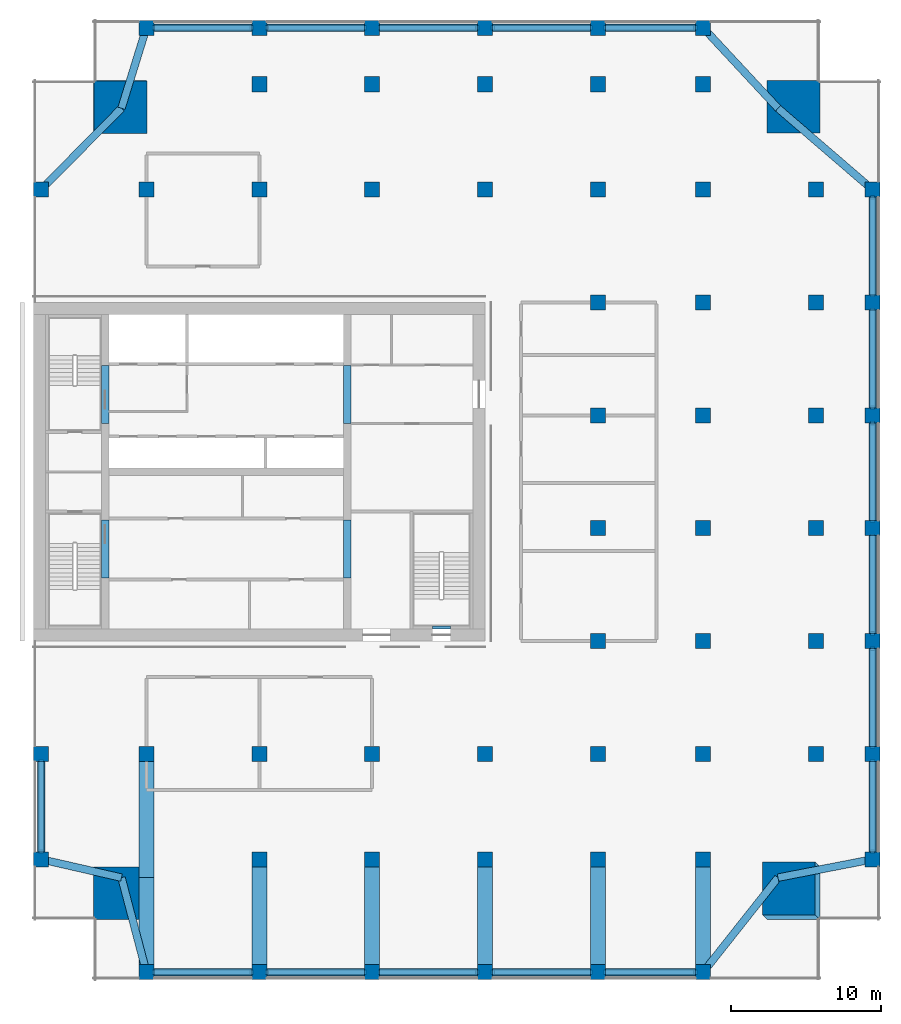
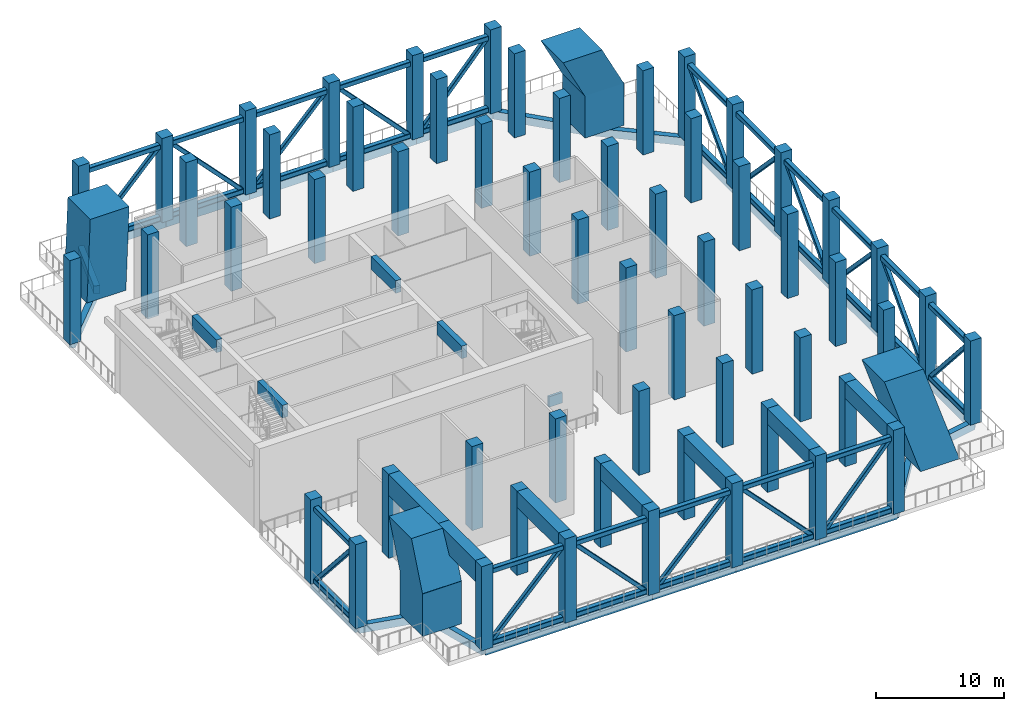
# One storey, part 1 of 12: 62 columns, 51 members, 37 beams.
"""IFC4 building model written with IfcOpenShell, lengths in metres."""

from ifc_helpers import new_model, si_unit, direction, frame, origin, origin_2d, place, context, subcontext, project, spatial, rectangle, hollow_rectangle, extrude, material, material_profile, profile_set, type_object, element, save


model = new_model("IFC4")

# Units and contexts
model_context = context("Model", 3, precision=1e-05, world=origin(), true_north=direction((0.0, 1.0)))
body_context = subcontext(model_context, "Body", "Model", "MODEL_VIEW")
ifc_project = project(units=[si_unit("LENGTHUNIT", "METRE"), si_unit("AREAUNIT", "SQUARE_METRE"), si_unit("VOLUMEUNIT", "CUBIC_METRE"), si_unit("PLANEANGLEUNIT", "RADIAN"), si_unit("MASSUNIT", "GRAM", prefix="KILO")], contexts=[model_context])

# Site, building, storey
site_placement = place(None, origin())
site = spatial("IfcSite", under=ifc_project, at=site_placement, CompositionType="ELEMENT")
building_placement = place(site_placement, origin())
building = spatial("IfcBuilding", under=site, at=building_placement, Name="Tamorin Gate", CompositionType="ELEMENT")
storey_placement = place(building_placement, frame((0.0, 0.0, 166.199951171875)))
storey = spatial("IfcBuildingStorey", under=building, at=storey_placement, Name="L41", CompositionType="ELEMENT", Elevation=166.199951171875)

# Columns
ifc_material_1 = material(Name="Concrete C70/85", Category="concrete")
ifc_material_profile_1 = material_profile(ifc_material_1, rectangle(XDim=1.0, YDim=1.0, at=origin_2d()), Name="RC 1000x1000")
ifc_profile_set_1 = profile_set([ifc_material_profile_1], Name="Concrete C70/85")
column_type_1 = type_object("IfcColumnType", Name="RC column 1000x1000 C70/85", PredefinedType="COLUMN", material=ifc_profile_set_1)
for number, where, z_axis, x_axis, name in (
    (1, (85.75, 45.5, 0.0), (0.0, 0.0, 1.0), (1.0, 0.0, 0.0), "Ring column L41"),
    (2, (85.75, 52.5, 0.0), (0.0, 0.0, 1.0), (1.0, 0.0, 0.0), "Ring column L41"),
    (3, (85.75, 60.0, 0.0), (0.0, 0.0, 1.0), (1.0, 0.0, 0.0), "Ring column L41"),
    (4, (85.75, 67.5, 0.0), (0.0, 0.0, 1.0), (1.0, 0.0, 0.0), "Ring column L41"),
    (5, (85.75, 75.0, 0.0), (0.0, 0.0, 1.0), (1.0, 0.0, 0.0), "Ring column L41"),
    (6, (85.75, 82.5, 0.0), (0.0, 0.0, 1.0), (1.0, 0.0, 0.0), "Ring column L41"),
    (7, (85.75, 90.0, 0.0), (0.0, 0.0, 1.0), (1.0, 0.0, 0.0), "Ring column L41"),
    (8, (37.5, 100.75, 0.0), (0.0, 0.0, 1.0), (1.0, 0.0, 0.0), "Ring column L41"),
    (9, (45.0, 100.75, 0.0), (0.0, 0.0, 1.0), (1.0, 0.0, 0.0), "Ring column L41"),
    (10, (52.5, 100.75, 0.0), (0.0, 0.0, 1.0), (1.0, 0.0, 0.0), "Ring column L41"),
    (11, (60.0, 100.75, 0.0), (0.0, 0.0, 1.0), (1.0, 0.0, 0.0), "Ring column L41"),
    (12, (67.5, 100.75, 0.0), (0.0, 0.0, 1.0), (1.0, 0.0, 0.0), "Ring column L41"),
    (13, (74.5, 100.75, 0.0), (0.0, 0.0, 1.0), (1.0, 0.0, 0.0), "Ring column L41"),
    (14, (30.5, 45.5, 0.0), (0.0, 0.0, 1.0), (1.0, 0.0, 0.0), "Ring column L41"),
    (15, (30.5, 52.5, 0.0), (0.0, 0.0, 1.0), (1.0, 0.0, 0.0), "Ring column L41"),
    (16, (30.5, 90.0, 0.0), (0.0, 0.0, 1.0), (1.0, 0.0, 0.0), "Ring column L41"),
    (17, (37.5, 38.0, 0.0), (0.0, 0.0, 1.0), (1.0, 0.0, 0.0), "Ring column L41"),
    (18, (37.5, 52.5, 0.0), (0.0, 0.0, 1.0), (1.0, 0.0, 0.0), "Interior column L41"),
    (19, (37.5, 90.0, 0.0), (0.0, 0.0, 1.0), (1.0, 0.0, 0.0), "Interior column L41"),
    (20, (45.0, 38.0, 0.0), (0.0, 0.0, 1.0), (1.0, 0.0, 0.0), "Ring column L41"),
    (21, (45.0, 45.5, 0.0), (0.0, 0.0, 1.0), (1.0, 0.0, 0.0), "Interior column L41"),
    (22, (45.0, 52.5, 0.0), (0.0, 0.0, 1.0), (1.0, 0.0, 0.0), "Interior column L41"),
    (23, (45.0, 90.0, 0.0), (0.0, 0.0, 1.0), (1.0, 0.0, 0.0), "Interior column L41"),
    (24, (45.0, 97.0, 0.0), (0.0, 0.0, 1.0), (1.0, 0.0, 0.0), "Interior column L41"),
    (25, (52.5, 38.0, 0.0), (0.0, 0.0, 1.0), (1.0, 0.0, 0.0), "Ring column L41"),
    (26, (52.5, 45.5, 0.0), (0.0, 0.0, 1.0), (1.0, 0.0, 0.0), "Interior column L41"),
    (27, (52.5, 52.5, 0.0), (0.0, 0.0, 1.0), (1.0, 0.0, 0.0), "Interior column L41"),
    (28, (52.5, 90.0, 0.0), (0.0, 0.0, 1.0), (1.0, 0.0, 0.0), "Interior column L41"),
    (29, (52.5, 97.0, 0.0), (0.0, 0.0, 1.0), (1.0, 0.0, 0.0), "Interior column L41"),
    (30, (60.0, 38.0, 0.0), (0.0, 0.0, 1.0), (1.0, 0.0, 0.0), "Ring column L41"),
    (31, (60.0, 45.5, 0.0), (0.0, 0.0, 1.0), (1.0, 0.0, 0.0), "Interior column L41"),
    (32, (60.0, 52.5, 0.0), (0.0, 0.0, 1.0), (1.0, 0.0, 0.0), "Interior column L41"),
    (33, (60.0, 90.0, 0.0), (0.0, 0.0, 1.0), (1.0, 0.0, 0.0), "Interior column L41"),
    (34, (60.0, 97.0, 0.0), (0.0, 0.0, 1.0), (1.0, 0.0, 0.0), "Interior column L41"),
    (35, (67.5, 38.0, 0.0), (0.0, 0.0, 1.0), (1.0, 0.0, 0.0), "Ring column L41"),
    (36, (67.5, 45.5, 0.0), (0.0, 0.0, 1.0), (1.0, 0.0, 0.0), "Interior column L41"),
    (37, (67.5, 52.5, 0.0), (0.0, 0.0, 1.0), (1.0, 0.0, 0.0), "Interior column L41"),
    (38, (67.5, 60.0, 0.0), (0.0, 0.0, 1.0), (1.0, 0.0, 0.0), "Interior column L41"),
    (39, (67.5, 67.5, 0.0), (0.0, 0.0, 1.0), (1.0, 0.0, 0.0), "Interior column L41"),
    (40, (67.5, 75.0, 0.0), (0.0, 0.0, 1.0), (1.0, 0.0, 0.0), "Interior column L41"),
    (41, (67.5, 82.5, 0.0), (0.0, 0.0, 1.0), (1.0, 0.0, 0.0), "Interior column L41"),
    (42, (67.5, 90.0, 0.0), (0.0, 0.0, 1.0), (1.0, 0.0, 0.0), "Interior column L41"),
    (43, (67.5, 97.0, 0.0), (0.0, 0.0, 1.0), (1.0, 0.0, 0.0), "Interior column L41"),
    (44, (74.5, 38.0, 0.0), (0.0, 0.0, 1.0), (1.0, 0.0, 0.0), "Ring column L41"),
    (45, (74.5, 45.5, 0.0), (0.0, 0.0, 1.0), (1.0, 0.0, 0.0), "Interior column L41"),
    (46, (74.5, 52.5, 0.0), (0.0, 0.0, 1.0), (1.0, 0.0, 0.0), "Interior column L41"),
    (47, (74.5, 60.0, 0.0), (0.0, 0.0, 1.0), (1.0, 0.0, 0.0), "Interior column L41"),
    (48, (74.5, 67.5, 0.0), (0.0, 0.0, 1.0), (1.0, 0.0, 0.0), "Interior column L41"),
    (49, (74.5, 75.0, 0.0), (0.0, 0.0, 1.0), (1.0, 0.0, 0.0), "Interior column L41"),
    (50, (74.5, 82.5, 0.0), (0.0, 0.0, 1.0), (1.0, 0.0, 0.0), "Interior column L41"),
    (51, (74.5, 90.0, 0.0), (0.0, 0.0, 1.0), (1.0, 0.0, 0.0), "Interior column L41"),
    (52, (74.5, 97.0, 0.0), (0.0, 0.0, 1.0), (1.0, 0.0, 0.0), "Interior column L41"),
    (53, (82.0, 52.5, 0.0), (0.0, 0.0, 1.0), (1.0, 0.0, 0.0), "Interior column L41"),
    (54, (82.0, 60.0, 0.0), (0.0, 0.0, 1.0), (1.0, 0.0, 0.0), "Interior column L41"),
    (55, (82.0, 67.5, 0.0), (0.0, 0.0, 1.0), (1.0, 0.0, 0.0), "Interior column L41"),
    (56, (82.0, 75.0, 0.0), (0.0, 0.0, 1.0), (1.0, 0.0, 0.0), "Interior column L41"),
    (57, (82.0, 82.5, 0.0), (0.0, 0.0, 1.0), (1.0, 0.0, 0.0), "Interior column L41"),
    (58, (82.0, 90.0, 0.0), (0.0, 0.0, 1.0), (1.0, 0.0, 0.0), "Interior column L41"),
):
    element("IfcColumn", number, at=place(storey_placement, frame(where, z_axis=z_axis, x_axis=x_axis)), inside=storey, type_object=column_type_1, Name=name, PredefinedType="COLUMN", context=body_context, shape_type="SweptSolid", body=[
        extrude(rectangle(XDim=1.0, YDim=1.0, at=origin_2d()), origin(), (0.0, 0.0, 1.0), 8.0),
    ])
ifc_material_profile_2 = material_profile(ifc_material_1, rectangle(XDim=3.5, YDim=3.5, at=origin_2d()), Name="RC 3500x3500")
ifc_profile_set_2 = profile_set([ifc_material_profile_2], Name="Concrete C70/85")
column_type_2 = type_object("IfcColumnType", Name="RC column 3500x3500 C70/85", PredefinedType="COLUMN", material=ifc_profile_set_2)
column_1_placement = place(storey_placement, frame((35.75, 43.25, 0.0), z_axis=(0.0, 0.0, 1.0), x_axis=(1.0, 0.0, 0.0)))
element("IfcColumn", 59, at=column_1_placement, inside=storey, type_object=column_type_2, Name="Mega column SW L41", PredefinedType="COLUMN", context=body_context, shape_type="SweptSolid", body=[
    extrude(rectangle(XDim=3.5, YDim=3.5, at=origin_2d()), origin(), (0.0, 0.0, 1.0), 4.050048828125),
    extrude(rectangle(XDim=3.5, YDim=3.5, at=origin_2d()), frame((0.0, 0.0, 4.0)), (0.041626536958, 0.45789190654, 0.888032788441), 4.50439453125),
])
column_2_placement = place(storey_placement, frame((80.5, 43.25, 0.0), z_axis=(0.0, 0.0, 1.0), x_axis=(0.0, 1.0, 0.0)))
element("IfcColumn", 60, at=column_2_placement, inside=storey, type_object=column_type_2, Name="Mega column SE L41", PredefinedType="COLUMN", context=body_context, shape_type="SweptSolid", body=[
    extrude(rectangle(XDim=3.5, YDim=3.5, at=origin_2d()), origin(), (0.242215290509, 0.242215290509, 0.939501732882), 8.51513671875),
])
column_3_placement = place(storey_placement, frame((35.75, 95.5, 0.0), z_axis=(0.0, 0.0, 1.0), x_axis=(0.0, -1.0, 0.0)))
element("IfcColumn", 61, at=column_3_placement, inside=storey, type_object=column_type_2, Name="Mega column NW L41", PredefinedType="COLUMN", context=body_context, shape_type="SweptSolid", body=[
    extrude(rectangle(XDim=3.5, YDim=3.5, at=origin_2d()), origin(), (0.023424635995, 0.023424635995, 0.999451135803), 8.00439453125),
])
column_4_placement = place(storey_placement, frame((80.5, 95.5, 0.0), z_axis=(0.0, 0.0, 1.0), x_axis=(-1.0, 0.0, 0.0)))
element("IfcColumn", 62, at=column_4_placement, inside=storey, type_object=column_type_2, Name="Mega column NE L41", PredefinedType="COLUMN", context=body_context, shape_type="SweptSolid", body=[
    extrude(rectangle(XDim=3.5, YDim=3.5, at=origin_2d()), origin(), (0.0, 0.0, 1.0), 4.050048828125),
    extrude(rectangle(XDim=3.5, YDim=3.5, at=origin_2d()), frame((0.0, 0.0, 4.0)), (0.45789190654, 0.041626536958, 0.888032788441), 4.50439453125),
])

# Beams
ifc_material_2 = material(Name="Concrete C60/75", Category="concrete")
ifc_material_profile_3 = material_profile(ifc_material_2, rectangle(XDim=0.5, YDim=1.199951171875, at=origin_2d()), Name="RC 500x1200")
ifc_profile_set_3 = profile_set([ifc_material_profile_3], Name="Concrete C60/75")
beam_type_1 = type_object("IfcBeamType", Name="RC coupling beam 500x1200 C60/75", PredefinedType="BEAM", material=ifc_profile_set_3)
for number, where, z_axis, x_axis, name in (
    (63, (34.75, 64.199951171875, 7.400146484375), (0.0, 1.0, 0.0), (-1.0, 0.0, 0.0), "Coupling beam L41"),
    (64, (34.75, 74.449951171875, 7.400146484375), (0.0, 1.0, 0.0), (-1.0, 0.0, 0.0), "Coupling beam L41"),
    (65, (50.85009765625, 64.199951171875, 7.400146484375), (0.0, 1.0, 0.0), (-1.0, 0.0, 0.0), "Coupling beam L41"),
    (66, (50.85009765625, 74.449951171875, 7.400146484375), (0.0, 1.0, 0.0), (-1.0, 0.0, 0.0), "Coupling beam L41"),
):
    element("IfcBeam", number, at=place(storey_placement, frame(where, z_axis=z_axis, x_axis=x_axis)), inside=storey, type_object=beam_type_1, Name=name, PredefinedType="BEAM", context=body_context, shape_type="SweptSolid", body=[
        extrude(rectangle(XDim=0.5, YDim=1.199951171875, at=origin_2d()), origin(), (0.0, 0.0, 1.0), 3.85009765625),
    ])
ifc_material_3 = material(Name="Concrete C50/60", Category="concrete")
ifc_material_profile_4 = material_profile(ifc_material_3, rectangle(XDim=0.5, YDim=0.75, at=origin_2d()), Name="RC 500x750")
ifc_profile_set_4 = profile_set([ifc_material_profile_4], Name="Concrete C50/60")
beam_type_2 = type_object("IfcBeamType", Name="RC spandrel 500x750 C50/60", PredefinedType="BEAM", material=ifc_profile_set_4)
for number, where, z_axis, x_axis, name in (
    (67, (37.5, 38.0, -0.375), (1.0, 0.0, 0.0), (0.0, 1.0, 0.0), "Spandrel beam L41"),
    (68, (45.0, 38.0, -0.375), (1.0, 0.0, 0.0), (0.0, 1.0, 0.0), "Spandrel beam L41"),
    (69, (52.5, 38.0, -0.375), (1.0, 0.0, 0.0), (0.0, 1.0, 0.0), "Spandrel beam L41"),
    (70, (60.0, 38.0, -0.375), (1.0, 0.0, 0.0), (0.0, 1.0, 0.0), "Spandrel beam L41"),
):
    element("IfcBeam", number, at=place(storey_placement, frame(where, z_axis=z_axis, x_axis=x_axis)), inside=storey, type_object=beam_type_2, Name=name, PredefinedType="BEAM", context=body_context, shape_type="SweptSolid", body=[
        extrude(rectangle(XDim=0.5, YDim=0.75, at=origin_2d()), origin(), (0.0, 0.0, 1.0), 7.5),
    ])
for number, where, z_axis, x_axis, name in (
    (71, (67.5, 38.0, -0.375), (1.0, 0.0, 0.0), (0.0, 1.0, 0.0), "Spandrel beam L41"),
    (72, (85.75, 45.5, -0.375), (0.0, 1.0, 0.0), (-1.0, 0.0, 0.0), "Spandrel beam L41"),
):
    element("IfcBeam", number, at=place(storey_placement, frame(where, z_axis=z_axis, x_axis=x_axis)), inside=storey, type_object=beam_type_2, Name=name, PredefinedType="BEAM", context=body_context, shape_type="SweptSolid", body=[
        extrude(rectangle(XDim=0.5, YDim=0.75, at=origin_2d()), origin(), (0.0, 0.0, 1.0), 7.0),
    ])
for number, where, z_axis, x_axis, name in (
    (73, (85.75, 52.5, -0.375), (0.0, 1.0, 0.0), (-1.0, 0.0, 0.0), "Spandrel beam L41"),
    (74, (85.75, 60.0, -0.375), (0.0, 1.0, 0.0), (-1.0, 0.0, 0.0), "Spandrel beam L41"),
    (75, (85.75, 67.5, -0.375), (0.0, 1.0, 0.0), (-1.0, 0.0, 0.0), "Spandrel beam L41"),
    (76, (85.75, 75.0, -0.375), (0.0, 1.0, 0.0), (-1.0, 0.0, 0.0), "Spandrel beam L41"),
    (77, (85.75, 82.5, -0.375), (0.0, 1.0, 0.0), (-1.0, 0.0, 0.0), "Spandrel beam L41"),
):
    element("IfcBeam", number, at=place(storey_placement, frame(where, z_axis=z_axis, x_axis=x_axis)), inside=storey, type_object=beam_type_2, Name=name, PredefinedType="BEAM", context=body_context, shape_type="SweptSolid", body=[
        extrude(rectangle(XDim=0.5, YDim=0.75, at=origin_2d()), origin(), (0.0, 0.0, 1.0), 7.5),
    ])
beam_1_placement = place(storey_placement, frame((74.5, 100.75, -0.375), z_axis=(-1.0, 0.0, 0.0), x_axis=(0.0, -1.0, 0.0)))
element("IfcBeam", 78, at=beam_1_placement, inside=storey, type_object=beam_type_2, Name="Spandrel beam L41", PredefinedType="BEAM", context=body_context, shape_type="SweptSolid", body=[
    extrude(rectangle(XDim=0.5, YDim=0.75, at=origin_2d()), origin(), (0.0, 0.0, 1.0), 7.0),
])
for number, where, z_axis, x_axis, name in (
    (79, (67.5, 100.75, -0.375), (-1.0, 0.0, 0.0), (0.0, -1.0, 0.0), "Spandrel beam L41"),
    (80, (60.0, 100.75, -0.375), (-1.0, 0.0, 0.0), (0.0, -1.0, 0.0), "Spandrel beam L41"),
    (81, (52.5, 100.75, -0.375), (-1.0, 0.0, 0.0), (0.0, -1.0, 0.0), "Spandrel beam L41"),
    (82, (45.0, 100.75, -0.375), (-1.0, 0.0, 0.0), (0.0, -1.0, 0.0), "Spandrel beam L41"),
):
    element("IfcBeam", number, at=place(storey_placement, frame(where, z_axis=z_axis, x_axis=x_axis)), inside=storey, type_object=beam_type_2, Name=name, PredefinedType="BEAM", context=body_context, shape_type="SweptSolid", body=[
        extrude(rectangle(XDim=0.5, YDim=0.75, at=origin_2d()), origin(), (0.0, 0.0, 1.0), 7.5),
    ])
beam_2_placement = place(storey_placement, frame((30.5, 52.5, -0.375), z_axis=(0.0, -1.0, 0.0), x_axis=(1.0, 0.0, 0.0)))
element("IfcBeam", 83, at=beam_2_placement, inside=storey, type_object=beam_type_2, Name="Spandrel beam L41", PredefinedType="BEAM", context=body_context, shape_type="SweptSolid", body=[
    extrude(rectangle(XDim=0.5, YDim=0.75, at=origin_2d()), origin(), (0.0, 0.0, 1.0), 7.0),
])
beam_3_placement = place(storey_placement, frame((35.84375, 44.28125, -0.375), z_axis=(-0.974964553526, 0.222360336769, 0.0), x_axis=(-0.222360336769, -0.974964553526, 0.0)))
element("IfcBeam", 84, at=beam_3_placement, inside=storey, type_object=beam_type_2, Name="Corner tie beam L41", PredefinedType="BEAM", context=body_context, shape_type="SweptSolid", body=[
    extrude(rectangle(XDim=0.5, YDim=0.75, at=origin_2d()), origin(), (0.0, 0.0, 1.0), 5.48095703125),
])
beam_4_placement = place(storey_placement, frame((35.84375, 44.28125, -0.375), z_axis=(0.254966860546, -0.966949791883, 0.0), x_axis=(0.966949791883, 0.254966860546, 0.0)))
element("IfcBeam", 85, at=beam_4_placement, inside=storey, type_object=beam_type_2, Name="Corner tie beam L41", PredefinedType="BEAM", context=body_context, shape_type="SweptSolid", body=[
    extrude(rectangle(XDim=0.5, YDim=0.75, at=origin_2d()), origin(), (0.0, 0.0, 1.0), 6.495849609375),
])
beam_5_placement = place(storey_placement, frame((79.46875, 44.28125, -0.375), z_axis=(0.981691567677, 0.190477468355, 0.0), x_axis=(-0.190477468355, 0.981691567677, 0.0)))
element("IfcBeam", 86, at=beam_5_placement, inside=storey, type_object=beam_type_2, Name="Corner tie beam L41", PredefinedType="BEAM", context=body_context, shape_type="SweptSolid", body=[
    extrude(rectangle(XDim=0.5, YDim=0.75, at=origin_2d()), origin(), (0.0, 0.0, 1.0), 6.3984375),
])
beam_6_placement = place(storey_placement, frame((79.46875, 44.28125, -0.375), z_axis=(-0.620403072684, -0.784283129619, 0.0), x_axis=(0.784283129619, -0.620403072684, 0.0)))
element("IfcBeam", 87, at=beam_6_placement, inside=storey, type_object=beam_type_2, Name="Corner tie beam L41", PredefinedType="BEAM", context=body_context, shape_type="SweptSolid", body=[
    extrude(rectangle(XDim=0.5, YDim=0.75, at=origin_2d()), origin(), (0.0, 0.0, 1.0), 8.0087890625),
])
beam_7_placement = place(storey_placement, frame((35.84375, 95.40625, -0.375), z_axis=(0.296047809943, 0.955173122647, 0.0), x_axis=(-0.955173122647, 0.296047809943, 0.0)))
element("IfcBeam", 88, at=beam_7_placement, inside=storey, type_object=beam_type_2, Name="Corner tie beam L41", PredefinedType="BEAM", context=body_context, shape_type="SweptSolid", body=[
    extrude(rectangle(XDim=0.5, YDim=0.75, at=origin_2d()), origin(), (0.0, 0.0, 1.0), 5.594482421875),
])
beam_8_placement = place(storey_placement, frame((35.84375, 95.40625, -0.375), z_axis=(-0.702983814201, -0.711205847116, 0.0), x_axis=(0.711205847116, -0.702983814201, 0.0)))
element("IfcBeam", 89, at=beam_8_placement, inside=storey, type_object=beam_type_2, Name="Corner tie beam L41", PredefinedType="BEAM", context=body_context, shape_type="SweptSolid", body=[
    extrude(rectangle(XDim=0.5, YDim=0.75, at=origin_2d()), origin(), (0.0, 0.0, 1.0), 7.6015625),
])
beam_9_placement = place(storey_placement, frame((79.46875, 95.40625, -0.375), z_axis=(-0.680943745316, 0.732335726095, 0.0), x_axis=(-0.732335726095, -0.680943745316, 0.0)))
element("IfcBeam", 90, at=beam_9_placement, inside=storey, type_object=beam_type_2, Name="Corner tie beam L41", PredefinedType="BEAM", context=body_context, shape_type="SweptSolid", body=[
    extrude(rectangle(XDim=0.5, YDim=0.75, at=origin_2d()), origin(), (0.0, 0.0, 1.0), 7.296875),
])
beam_10_placement = place(storey_placement, frame((79.46875, 95.40625, -0.375), z_axis=(0.75792415585, -0.652342681403, 0.0), x_axis=(0.652342681403, 0.75792415585, 0.0)))
element("IfcBeam", 91, at=beam_10_placement, inside=storey, type_object=beam_type_2, Name="Corner tie beam L41", PredefinedType="BEAM", context=body_context, shape_type="SweptSolid", body=[
    extrude(rectangle(XDim=0.5, YDim=0.75, at=origin_2d()), origin(), (0.0, 0.0, 1.0), 8.287353515625),
])
ifc_material_profile_5 = material_profile(ifc_material_2, rectangle(XDim=1.0, YDim=1.5, at=origin_2d()), Name="RC 1000x1500")
ifc_profile_set_5 = profile_set([ifc_material_profile_5], Name="Concrete C60/75")
beam_type_3 = type_object("IfcBeamType", Name="RC transfer girder 1000x1500 C60/75", PredefinedType="BEAM", material=ifc_profile_set_5)
for number, where, z_axis, x_axis, name in (
    (92, (45.0, 38.0, 7.25), (0.0, 1.0, 0.0), (-1.0, 0.0, 0.0), "Transfer girder L41"),
    (93, (52.5, 38.0, 7.25), (0.0, 1.0, 0.0), (-1.0, 0.0, 0.0), "Transfer girder L41"),
    (94, (60.0, 38.0, 7.25), (0.0, 1.0, 0.0), (-1.0, 0.0, 0.0), "Transfer girder L41"),
    (95, (67.5, 38.0, 7.25), (0.0, 1.0, 0.0), (-1.0, 0.0, 0.0), "Transfer girder L41"),
    (96, (74.5, 38.0, 7.25), (0.0, 1.0, 0.0), (-1.0, 0.0, 0.0), "Transfer girder L41"),
):
    element("IfcBeam", number, at=place(storey_placement, frame(where, z_axis=z_axis, x_axis=x_axis)), inside=storey, type_object=beam_type_3, Name=name, PredefinedType="BEAM", context=body_context, shape_type="SweptSolid", body=[
        extrude(rectangle(XDim=1.0, YDim=1.5, at=origin_2d()), origin(), (0.0, 0.0, 1.0), 7.5),
    ])
ifc_material_profile_6 = material_profile(ifc_material_2, rectangle(XDim=1.0, YDim=2.0, at=origin_2d()), Name="RC 1000x2000")
ifc_profile_set_6 = profile_set([ifc_material_profile_6], Name="Concrete C60/75")
beam_type_4 = type_object("IfcBeamType", Name="RC transfer girder 1000x2000 C60/75", PredefinedType="BEAM", material=ifc_profile_set_6)
beam_11_placement = place(storey_placement, frame((37.5, 38.0, 7.0), z_axis=(0.0, 1.0, 0.0), x_axis=(-1.0, 0.0, 0.0)))
element("IfcBeam", 97, at=beam_11_placement, inside=storey, type_object=beam_type_4, Name="Transfer girder L41", PredefinedType="BEAM", context=body_context, shape_type="SweptSolid", body=[
    extrude(rectangle(XDim=1.0, YDim=2.0, at=origin_2d()), origin(), (0.0, 0.0, 1.0), 6.28125),
])
beam_12_placement = place(storey_placement, frame((37.5, 44.28125, 7.0), z_axis=(0.0, 1.0, 0.0), x_axis=(-1.0, 0.0, 0.0)))
element("IfcBeam", 98, at=beam_12_placement, inside=storey, type_object=beam_type_4, Name="Transfer girder L41", PredefinedType="BEAM", context=body_context, shape_type="SweptSolid", body=[
    extrude(rectangle(XDim=1.0, YDim=2.0, at=origin_2d()), origin(), (0.0, 0.0, 1.0), 8.21875),
])
ifc_material_profile_7 = material_profile(ifc_material_2, rectangle(XDim=0.199951171875, YDim=1.0, at=origin_2d()))
ifc_profile_set_7 = profile_set([ifc_material_profile_7], Name="Concrete C60/75")
beam_type_5 = type_object("IfcBeamType", Name="Stair lintel 200x1000 C60/75", PredefinedType="BEAM", material=ifc_profile_set_7)
beam_13_placement = place(storey_placement, frame((56.5, 60.89990234375, 2.699951171875), z_axis=(1.0, 0.0, 0.0), x_axis=(0.0, 1.0, 0.0)))
element("IfcBeam", 99, at=beam_13_placement, inside=storey, type_object=beam_type_5, Name="Stair lintel", PredefinedType="BEAM", context=body_context, shape_type="SweptSolid", body=[
    extrude(rectangle(XDim=0.199951171875, YDim=1.0, at=origin_2d()), origin(), (0.0, 0.0, 1.0), 1.199951171875),
])

# Members
ifc_material_4 = material(Name="Steel S355J2H", Category="steel")
ifc_material_profile_8 = material_profile(ifc_material_4, hollow_rectangle(XDim=0.449951171875, YDim=0.449951171875, WallThickness=0.02197265625, InnerFilletRadius=0.032958984375, OuterFilletRadius=0.054931640625, at=origin_2d()), Name="RHS 450x450x22")
ifc_profile_set_8 = profile_set([ifc_material_profile_8], Name="Steel S355J2H")
member_type_1 = type_object("IfcMemberType", Name="Steel chord RHS 450x450x22", PredefinedType="CHORD", material=ifc_profile_set_8)
for number, where, z_axis, x_axis, name in (
    (100, (38.0, 38.0, 0.22509765625), (1.0, 0.0, 0.0), (0.0, 1.0, 0.0), "Truss bottom chord L41"),
    (101, (38.0, 38.0, 7.025146484375), (1.0, 0.0, 0.0), (0.0, 1.0, 0.0), "Truss top chord L41"),
    (102, (45.5, 38.0, 0.22509765625), (1.0, 0.0, 0.0), (0.0, 1.0, 0.0), "Truss bottom chord L41"),
    (103, (45.5, 38.0, 7.025146484375), (1.0, 0.0, 0.0), (0.0, 1.0, 0.0), "Truss top chord L41"),
    (104, (53.0, 38.0, 0.22509765625), (1.0, 0.0, 0.0), (0.0, 1.0, 0.0), "Truss bottom chord L41"),
    (105, (53.0, 38.0, 7.025146484375), (1.0, 0.0, 0.0), (0.0, 1.0, 0.0), "Truss top chord L41"),
    (106, (60.5, 38.0, 0.22509765625), (1.0, 0.0, 0.0), (0.0, 1.0, 0.0), "Truss bottom chord L41"),
    (107, (60.5, 38.0, 7.025146484375), (1.0, 0.0, 0.0), (0.0, 1.0, 0.0), "Truss top chord L41"),
):
    element("IfcMember", number, at=place(storey_placement, frame(where, z_axis=z_axis, x_axis=x_axis)), inside=storey, type_object=member_type_1, Name=name, PredefinedType="CHORD", context=body_context, shape_type="SweptSolid", body=[
        extrude(hollow_rectangle(XDim=0.449951171875, YDim=0.449951171875, WallThickness=0.02197265625, InnerFilletRadius=0.032958984375, OuterFilletRadius=0.054931640625, at=origin_2d()), origin(), (0.0, 0.0, 1.0), 6.5),
    ])
for number, where, z_axis, x_axis, name in (
    (108, (68.0, 38.0, 0.22509765625), (1.0, 0.0, 0.0), (0.0, 1.0, 0.0), "Truss bottom chord L41"),
    (109, (68.0, 38.0, 7.025146484375), (1.0, 0.0, 0.0), (0.0, 1.0, 0.0), "Truss top chord L41"),
    (110, (85.75, 46.0, 0.22509765625), (0.0, 1.0, 0.0), (-1.0, 0.0, 0.0), "Truss bottom chord L41"),
    (111, (85.75, 46.0, 7.025146484375), (0.0, 1.0, 0.0), (-1.0, 0.0, 0.0), "Truss top chord L41"),
):
    element("IfcMember", number, at=place(storey_placement, frame(where, z_axis=z_axis, x_axis=x_axis)), inside=storey, type_object=member_type_1, Name=name, PredefinedType="CHORD", context=body_context, shape_type="SweptSolid", body=[
        extrude(hollow_rectangle(XDim=0.449951171875, YDim=0.449951171875, WallThickness=0.02197265625, InnerFilletRadius=0.032958984375, OuterFilletRadius=0.054931640625, at=origin_2d()), origin(), (0.0, 0.0, 1.0), 6.0),
    ])
for number, where, z_axis, x_axis, name in (
    (112, (85.75, 53.0, 0.22509765625), (0.0, 1.0, 0.0), (-1.0, 0.0, 0.0), "Truss bottom chord L41"),
    (113, (85.75, 53.0, 7.025146484375), (0.0, 1.0, 0.0), (-1.0, 0.0, 0.0), "Truss top chord L41"),
    (114, (85.75, 60.5, 0.22509765625), (0.0, 1.0, 0.0), (-1.0, 0.0, 0.0), "Truss bottom chord L41"),
    (115, (85.75, 60.5, 7.025146484375), (0.0, 1.0, 0.0), (-1.0, 0.0, 0.0), "Truss top chord L41"),
    (116, (85.75, 68.0, 0.22509765625), (0.0, 1.0, 0.0), (-1.0, 0.0, 0.0), "Truss bottom chord L41"),
    (117, (85.75, 68.0, 7.025146484375), (0.0, 1.0, 0.0), (-1.0, 0.0, 0.0), "Truss top chord L41"),
    (118, (85.75, 75.5, 0.22509765625), (0.0, 1.0, 0.0), (-1.0, 0.0, 0.0), "Truss bottom chord L41"),
    (119, (85.75, 75.5, 7.025146484375), (0.0, 1.0, 0.0), (-1.0, 0.0, 0.0), "Truss top chord L41"),
    (120, (85.75, 83.0, 0.22509765625), (0.0, 1.0, 0.0), (-1.0, 0.0, 0.0), "Truss bottom chord L41"),
    (121, (85.75, 83.0, 7.025146484375), (0.0, 1.0, 0.0), (-1.0, 0.0, 0.0), "Truss top chord L41"),
):
    element("IfcMember", number, at=place(storey_placement, frame(where, z_axis=z_axis, x_axis=x_axis)), inside=storey, type_object=member_type_1, Name=name, PredefinedType="CHORD", context=body_context, shape_type="SweptSolid", body=[
        extrude(hollow_rectangle(XDim=0.449951171875, YDim=0.449951171875, WallThickness=0.02197265625, InnerFilletRadius=0.032958984375, OuterFilletRadius=0.054931640625, at=origin_2d()), origin(), (0.0, 0.0, 1.0), 6.5),
    ])
for number, where, z_axis, x_axis, name in (
    (122, (74.0, 100.75, 0.22509765625), (-1.0, 0.0, 0.0), (0.0, -1.0, 0.0), "Truss bottom chord L41"),
    (123, (74.0, 100.75, 7.025146484375), (-1.0, 0.0, 0.0), (0.0, -1.0, 0.0), "Truss top chord L41"),
):
    element("IfcMember", number, at=place(storey_placement, frame(where, z_axis=z_axis, x_axis=x_axis)), inside=storey, type_object=member_type_1, Name=name, PredefinedType="CHORD", context=body_context, shape_type="SweptSolid", body=[
        extrude(hollow_rectangle(XDim=0.449951171875, YDim=0.449951171875, WallThickness=0.02197265625, InnerFilletRadius=0.032958984375, OuterFilletRadius=0.054931640625, at=origin_2d()), origin(), (0.0, 0.0, 1.0), 6.0),
    ])
for number, where, z_axis, x_axis, name in (
    (124, (67.0, 100.75, 0.22509765625), (-1.0, 0.0, 0.0), (0.0, -1.0, 0.0), "Truss bottom chord L41"),
    (125, (67.0, 100.75, 7.025146484375), (-1.0, 0.0, 0.0), (0.0, -1.0, 0.0), "Truss top chord L41"),
    (126, (59.5, 100.75, 0.22509765625), (-1.0, 0.0, 0.0), (0.0, -1.0, 0.0), "Truss bottom chord L41"),
    (127, (59.5, 100.75, 7.025146484375), (-1.0, 0.0, 0.0), (0.0, -1.0, 0.0), "Truss top chord L41"),
    (128, (52.0, 100.75, 0.22509765625), (-1.0, 0.0, 0.0), (0.0, -1.0, 0.0), "Truss bottom chord L41"),
    (129, (52.0, 100.75, 7.025146484375), (-1.0, 0.0, 0.0), (0.0, -1.0, 0.0), "Truss top chord L41"),
    (130, (44.5, 100.75, 0.22509765625), (-1.0, 0.0, 0.0), (0.0, -1.0, 0.0), "Truss bottom chord L41"),
    (131, (44.5, 100.75, 7.025146484375), (-1.0, 0.0, 0.0), (0.0, -1.0, 0.0), "Truss top chord L41"),
):
    element("IfcMember", number, at=place(storey_placement, frame(where, z_axis=z_axis, x_axis=x_axis)), inside=storey, type_object=member_type_1, Name=name, PredefinedType="CHORD", context=body_context, shape_type="SweptSolid", body=[
        extrude(hollow_rectangle(XDim=0.449951171875, YDim=0.449951171875, WallThickness=0.02197265625, InnerFilletRadius=0.032958984375, OuterFilletRadius=0.054931640625, at=origin_2d()), origin(), (0.0, 0.0, 1.0), 6.5),
    ])
for number, where, z_axis, x_axis, name in (
    (132, (30.5, 52.0, 0.22509765625), (0.0, -1.0, 0.0), (1.0, 0.0, 0.0), "Truss bottom chord L41"),
    (133, (30.5, 52.0, 7.025146484375), (0.0, -1.0, 0.0), (1.0, 0.0, 0.0), "Truss top chord L41"),
):
    element("IfcMember", number, at=place(storey_placement, frame(where, z_axis=z_axis, x_axis=x_axis)), inside=storey, type_object=member_type_1, Name=name, PredefinedType="CHORD", context=body_context, shape_type="SweptSolid", body=[
        extrude(hollow_rectangle(XDim=0.449951171875, YDim=0.449951171875, WallThickness=0.02197265625, InnerFilletRadius=0.032958984375, OuterFilletRadius=0.054931640625, at=origin_2d()), origin(), (0.0, 0.0, 1.0), 6.0),
    ])
ifc_material_profile_9 = material_profile(ifc_material_4, hollow_rectangle(XDim=0.35009765625, YDim=0.35009765625, WallThickness=0.01611328125, InnerFilletRadius=0.02392578125, OuterFilletRadius=0.0400390625, at=origin_2d()), Name="RHS 350x350x16")
ifc_profile_set_9 = profile_set([ifc_material_profile_9], Name="Steel S355J2H")
member_type_2 = type_object("IfcMemberType", Name="Steel diagonal RHS 350x350x16", PredefinedType="BRACE", material=ifc_profile_set_9)
for number, where, z_axis, x_axis, name in (
    (134, (38.0, 38.0, 0.22509765625), (0.690978651392, 0.0, 0.722875164409), (0.0, 1.0, 0.0), "Truss diagonal L41"),
    (135, (45.5, 38.0, 7.025146484375), (0.690978651392, 0.0, -0.722875164409), (0.0, 1.0, 0.0), "Truss diagonal L41"),
    (136, (53.0, 38.0, 0.22509765625), (0.690978651392, 0.0, 0.722875164409), (0.0, 1.0, 0.0), "Truss diagonal L41"),
    (137, (60.5, 38.0, 7.025146484375), (0.690978651392, 0.0, -0.722875164409), (0.0, 1.0, 0.0), "Truss diagonal L41"),
):
    element("IfcMember", number, at=place(storey_placement, frame(where, z_axis=z_axis, x_axis=x_axis)), inside=storey, type_object=member_type_2, Name=name, PredefinedType="BRACE", context=body_context, shape_type="SweptSolid", body=[
        extrude(hollow_rectangle(XDim=0.35009765625, YDim=0.35009765625, WallThickness=0.01611328125, InnerFilletRadius=0.02392578125, OuterFilletRadius=0.0400390625, at=origin_2d()), origin(), (0.0, 0.0, 1.0), 9.406982421875),
    ])
for number, where, z_axis, x_axis, name in (
    (138, (68.0, 38.0, 0.22509765625), (0.661618965899, 0.0, 0.749840212287), (0.0, 1.0, 0.0), "Truss diagonal L41"),
    (139, (85.75, 46.0, 7.025146484375), (0.0, 0.661618965899, -0.749840212287), (-1.0, 0.0, 0.0), "Truss diagonal L41"),
):
    element("IfcMember", number, at=place(storey_placement, frame(where, z_axis=z_axis, x_axis=x_axis)), inside=storey, type_object=member_type_2, Name=name, PredefinedType="BRACE", context=body_context, shape_type="SweptSolid", body=[
        extrude(hollow_rectangle(XDim=0.35009765625, YDim=0.35009765625, WallThickness=0.01611328125, InnerFilletRadius=0.02392578125, OuterFilletRadius=0.0400390625, at=origin_2d()), origin(), (0.0, 0.0, 1.0), 9.068603515625),
    ])
for number, where, z_axis, x_axis, name in (
    (140, (85.75, 53.0, 0.22509765625), (0.0, 0.690978651392, 0.722875164409), (-1.0, 0.0, 0.0), "Truss diagonal L41"),
    (141, (85.75, 60.5, 7.025146484375), (0.0, 0.690978651392, -0.722875164409), (-1.0, 0.0, 0.0), "Truss diagonal L41"),
    (142, (85.75, 68.0, 0.22509765625), (0.0, 0.690978651392, 0.722875164409), (-1.0, 0.0, 0.0), "Truss diagonal L41"),
    (143, (85.75, 75.5, 7.025146484375), (0.0, 0.690978651392, -0.722875164409), (-1.0, 0.0, 0.0), "Truss diagonal L41"),
    (144, (85.75, 83.0, 0.22509765625), (0.0, 0.690978651392, 0.722875164409), (-1.0, 0.0, 0.0), "Truss diagonal L41"),
):
    element("IfcMember", number, at=place(storey_placement, frame(where, z_axis=z_axis, x_axis=x_axis)), inside=storey, type_object=member_type_2, Name=name, PredefinedType="BRACE", context=body_context, shape_type="SweptSolid", body=[
        extrude(hollow_rectangle(XDim=0.35009765625, YDim=0.35009765625, WallThickness=0.01611328125, InnerFilletRadius=0.02392578125, OuterFilletRadius=0.0400390625, at=origin_2d()), origin(), (0.0, 0.0, 1.0), 9.406982421875),
    ])
member_1_placement = place(storey_placement, frame((74.0, 100.75, 7.025146484375), z_axis=(-0.661618965899, 0.0, -0.749840212287), x_axis=(0.0, -1.0, 0.0)))
element("IfcMember", 145, at=member_1_placement, inside=storey, type_object=member_type_2, Name="Truss diagonal L41", PredefinedType="BRACE", context=body_context, shape_type="SweptSolid", body=[
    extrude(hollow_rectangle(XDim=0.35009765625, YDim=0.35009765625, WallThickness=0.01611328125, InnerFilletRadius=0.02392578125, OuterFilletRadius=0.0400390625, at=origin_2d()), origin(), (0.0, 0.0, 1.0), 9.068603515625),
])
for number, where, z_axis, x_axis, name in (
    (146, (67.0, 100.75, 0.22509765625), (-0.690978651392, 0.0, 0.722875164409), (0.0, -1.0, 0.0), "Truss diagonal L41"),
    (147, (59.5, 100.75, 7.025146484375), (-0.690978651392, 0.0, -0.722875164409), (0.0, -1.0, 0.0), "Truss diagonal L41"),
    (148, (52.0, 100.75, 0.22509765625), (-0.690978651392, 0.0, 0.722875164409), (0.0, -1.0, 0.0), "Truss diagonal L41"),
    (149, (44.5, 100.75, 7.025146484375), (-0.690978651392, 0.0, -0.722875164409), (0.0, -1.0, 0.0), "Truss diagonal L41"),
):
    element("IfcMember", number, at=place(storey_placement, frame(where, z_axis=z_axis, x_axis=x_axis)), inside=storey, type_object=member_type_2, Name=name, PredefinedType="BRACE", context=body_context, shape_type="SweptSolid", body=[
        extrude(hollow_rectangle(XDim=0.35009765625, YDim=0.35009765625, WallThickness=0.01611328125, InnerFilletRadius=0.02392578125, OuterFilletRadius=0.0400390625, at=origin_2d()), origin(), (0.0, 0.0, 1.0), 9.406982421875),
    ])
member_2_placement = place(storey_placement, frame((30.5, 52.0, 0.22509765625), z_axis=(0.0, -0.661618965899, 0.749840212287), x_axis=(1.0, 0.0, 0.0)))
element("IfcMember", 150, at=member_2_placement, inside=storey, type_object=member_type_2, Name="Truss diagonal L41", PredefinedType="BRACE", context=body_context, shape_type="SweptSolid", body=[
    extrude(hollow_rectangle(XDim=0.35009765625, YDim=0.35009765625, WallThickness=0.01611328125, InnerFilletRadius=0.02392578125, OuterFilletRadius=0.0400390625, at=origin_2d()), origin(), (0.0, 0.0, 1.0), 9.068603515625),
])

save(model, "model.ifc")
